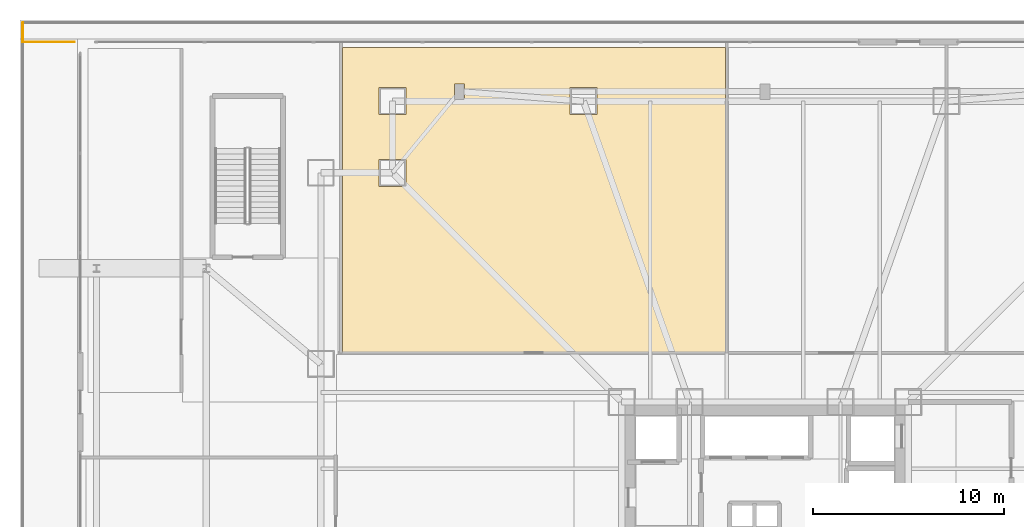
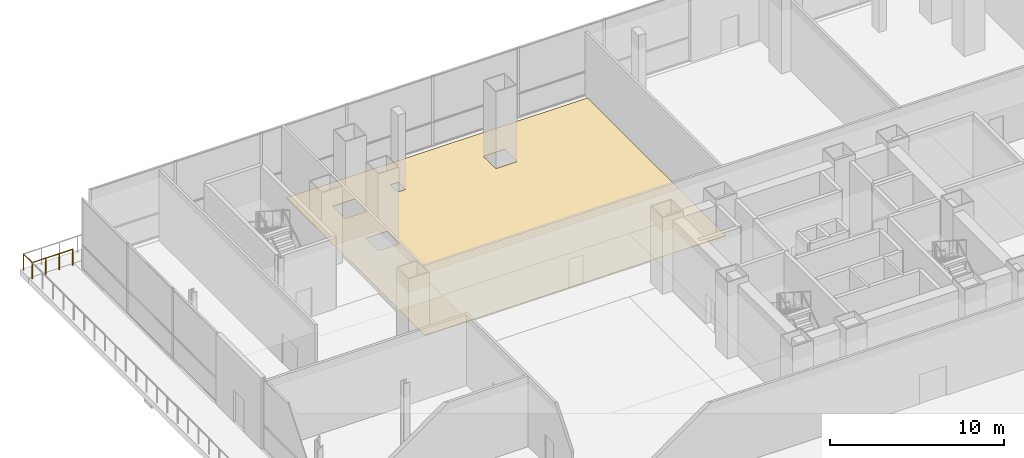
# One storey, part 30 of 35: 2 railings, 1 covering.
"""IFC4 building model written with IfcOpenShell, lengths in metres."""

from ifc_helpers import new_model, si_unit, direction, frame, origin, origin_2d, place, context, subcontext, project, spatial, polyline, circle, outline, extrude, material, layer, layer_set, type_object, element, save


model = new_model("IFC4")

# Units and contexts
model_context = context("Model", 3, precision=1e-05, world=origin(), true_north=direction((0.0, 1.0)))
body_context = subcontext(model_context, "Body", "Model", "MODEL_VIEW")
ifc_project = project(units=[si_unit("LENGTHUNIT", "METRE"), si_unit("AREAUNIT", "SQUARE_METRE"), si_unit("VOLUMEUNIT", "CUBIC_METRE"), si_unit("PLANEANGLEUNIT", "RADIAN"), si_unit("MASSUNIT", "GRAM", prefix="KILO")], contexts=[model_context])

# Site, building, storey
site_placement = place(None, origin())
site = spatial("IfcSite", under=ifc_project, at=site_placement, CompositionType="ELEMENT")
building_placement = place(site_placement, origin())
building = spatial("IfcBuilding", under=site, at=building_placement, Name="Trevonay Congress Spire", CompositionType="ELEMENT")
storey_placement = place(building_placement, frame((0.0, 0.0, 10.800048828125)))
storey = spatial("IfcBuildingStorey", under=building, at=storey_placement, Name="L02", CompositionType="ELEMENT", Elevation=10.800048828125)

# Covering
ifc_material_1 = material(Name="Polished Granite Floor Tile", Category="masonry")
ifc_layer = layer(ifc_material_1, 0.02001953125, Name="Polished Granite Floor Tile")
ifc_layer_set = layer_set([ifc_layer], Name="Polished Granite Floor Tile")
covering_type = type_object("IfcCoveringType", Name="COV-FLOOR-STONE", PredefinedType="FLOORING", material=ifc_layer_set)
covering_placement = place(storey_placement, origin())
element("IfcCovering", 1, at=covering_placement, inside=storey, type_object=covering_type, Name="L02 North Trade Exhibition Gallery floor finish", PredefinedType="FLOORING", context=body_context, shape_type="SweptSolid", body=[
    extrude(outline(polyline([(-22.1201171875, 26.050048828125), (-2.080078125, 26.050048828125), (-2.080078125, 10.080078125), (-22.1201171875, 10.080078125), (-22.1201171875, 26.050048828125)]), holes=[polyline([(-20.2099609375, 20.2099609375), (-20.2099609375, 18.7900390625), (-18.7900390625, 18.7900390625), (-18.7900390625, 20.2099609375), (-20.2099609375, 20.2099609375)]), polyline([(-20.2099609375, 23.9599609375), (-20.2099609375, 22.5400390625), (-18.7900390625, 22.5400390625), (-18.7900390625, 23.9599609375), (-20.2099609375, 23.9599609375)]), polyline([(-10.2099609375, 23.9599609375), (-10.2099609375, 22.5400390625), (-8.7900390625, 22.5400390625), (-8.7900390625, 23.9599609375), (-10.2099609375, 23.9599609375)]), polyline([(-16.260009765625, 24.159912109375), (-16.260009765625, 23.340087890625), (-15.739990234375, 23.340087890625), (-15.739990234375, 24.159912109375), (-16.260009765625, 24.159912109375)])]), origin(), (0.0, 0.0, 1.0), 0.02001953125),
])

# Railings
ifc_material_2 = material(Name="Pale Anodised Aluminium EN AW-6063-T6", Category="aluminium")
railing_type = type_object("IfcRailingType", Name="RAL-EXT-GUARD-115", PredefinedType="GUARDRAIL", material=ifc_material_2)
railing_1_placement = place(storey_placement, frame((-36.14990234375, 26.35009765625, 0.0)))
element("IfcRailing", 2, at=railing_1_placement, inside=storey, type_object=railing_type, Name="L02 perimeter safety guard GRD-L02-TER-W-3", PredefinedType="GUARDRAIL", context=body_context, shape_type="SweptSolid", body=[
    extrude(circle(Radius=0.02392578125, at=origin_2d()), frame((0.0, 0.0, 1.1259765625), z_axis=(-1.0, 0.0, 0.0), x_axis=(0.0, -1.0, 0.0)), (0.0, 0.0, 1.0), 2.7001953125),
    extrude(circle(Radius=0.02099609375, at=origin_2d()), origin(), (0.0, 0.0, 1.0), 1.101806640625),
    extrude(circle(Radius=0.02099609375, at=origin_2d()), frame((-0.900146484375, 0.0, 0.0)), (0.0, 0.0, 1.0), 1.101806640625),
    extrude(circle(Radius=0.02099609375, at=origin_2d()), frame((-1.800048828125, 0.0, 0.0)), (0.0, 0.0, 1.0), 1.101806640625),
    extrude(circle(Radius=0.02099609375, at=origin_2d()), frame((-2.7001953125, 0.0, 0.0)), (0.0, 0.0, 1.0), 1.101806640625),
])
railing_2_placement = place(storey_placement, frame((-38.85009765625, 26.35009765625, 0.0)))
element("IfcRailing", 3, at=railing_2_placement, inside=storey, type_object=railing_type, Name="L02 perimeter safety guard GRD-L02-TER-N-1", PredefinedType="GUARDRAIL", context=body_context, shape_type="SweptSolid", body=[
    extrude(circle(Radius=0.02392578125, at=origin_2d()), frame((0.0, 0.0, 1.1259765625), z_axis=(0.0, 1.0, 0.0), x_axis=(-1.0, 0.0, 0.0)), (0.0, 0.0, 1.0), 1.0),
    extrude(circle(Radius=0.02099609375, at=origin_2d()), origin(), (0.0, 0.0, 1.0), 1.101806640625),
    extrude(circle(Radius=0.02099609375, at=origin_2d()), frame((0.0, 1.0, 0.0)), (0.0, 0.0, 1.0), 1.101806640625),
])

save(model, "model.ifc")
